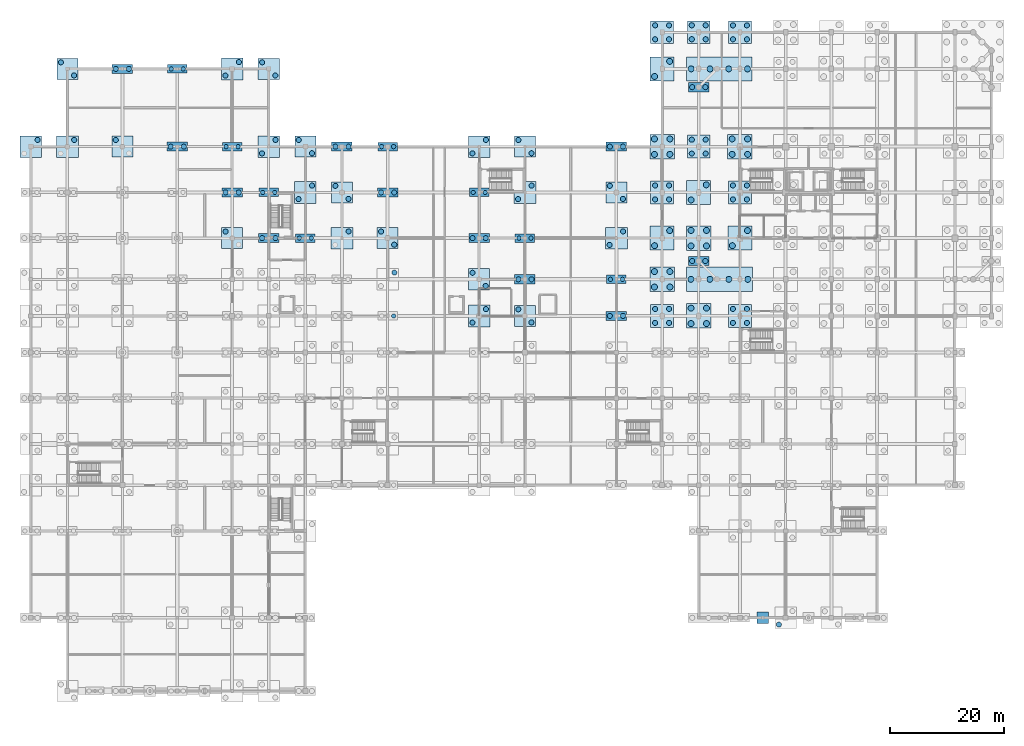
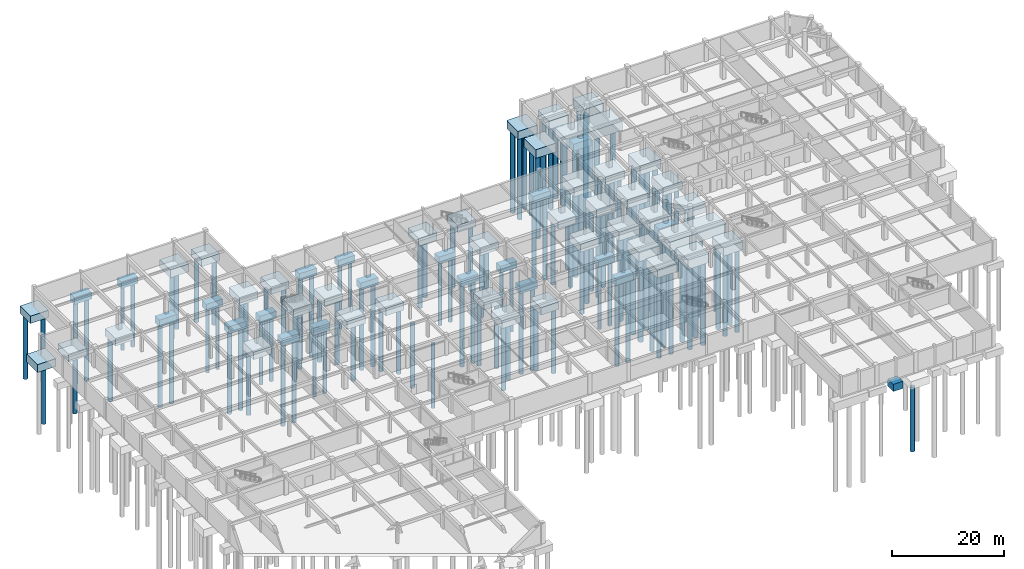
# One storey, part 3 of 28: 148 piles, 61 footings.
"""IFC4 building model written with IfcOpenShell, lengths in metres."""

import ifcopenshell
import ifcopenshell.guid

model = None  # the IFC model being written
_history = None  # IfcOwnerHistory: only IFC2X3 demands one
_inside = {}  # id of a spatial element -> (the spatial element, [elements in it])
_under = {}  # id of a project, library or spatial element -> (it, [spatial elements below it])
_declared = {}  # id of a project -> (the project, [libraries it declares])
_typed = {}  # id of a type object -> (the type object, [elements of that type])
_made_of = {}  # id of a material, layer set ... -> (it, [elements and type objects made of it])


def new_model(schema):
    """Start an empty IFC model of exactly this schema.

    Asked for "IFC4X3", IfcOpenShell would pick the latest addendum, in which some entities
    have other attributes; the version numbers below select the first issue.
    IFC2X3 requires an IfcOwnerHistory on every rooted entity: one is made here for all.
    """
    global model, _history
    if schema == "IFC4X3":
        model = ifcopenshell.file(schema_version=(4, 3, 0, 0))
    else:
        model = ifcopenshell.file(schema=schema)
    _inside.clear()
    _under.clear()
    _declared.clear()
    _typed.clear()
    _made_of.clear()
    _history = None
    if model.schema == "IFC2X3":
        org = make("IfcOrganization", Name="unknown")
        user = make(
            "IfcPersonAndOrganization",
            ThePerson=make("IfcPerson", FamilyName="unknown"),
            TheOrganization=org,
        )
        app = make(
            "IfcApplication",
            ApplicationDeveloper=org,
            Version="unknown",
            ApplicationFullName="unknown",
            ApplicationIdentifier="unknown",
        )
        _history = make(
            "IfcOwnerHistory",
            OwningUser=user,
            OwningApplication=app,
            ChangeAction="ADDED",
            CreationDate=0,
        )
    return model


def make(cls, **values):
    """One entity of the class cls with the attributes given. An attribute that is None is left unset."""
    return model.create_entity(
        cls, **{name: value for name, value in values.items() if value is not None}
    )


def rooted(cls, **values):
    """An entity with a GlobalId (a new one), such as an element, a storey or a relation."""
    return make(cls, GlobalId=ifcopenshell.guid.new(), OwnerHistory=_history, **values)


def si_unit(unit_type, name, prefix=None):
    """IfcSIUnit, for example si_unit("LENGTHUNIT", "METRE", prefix="MILLI")."""
    return make("IfcSIUnit", UnitType=unit_type, Prefix=prefix, Name=name)


def assignment(units):
    """IfcUnitAssignment: the units of a project."""
    return None if units is None else make("IfcUnitAssignment", Units=units)


def point(xyz):
    """IfcCartesianPoint."""
    return None if xyz is None else make("IfcCartesianPoint", Coordinates=xyz)


def direction(xyz):
    """IfcDirection."""
    return None if xyz is None else make("IfcDirection", DirectionRatios=xyz)


def frame(location, z_axis=None, x_axis=None):
    """IfcAxis2Placement3D, a coordinate frame: its origin and axes. An axis left out is left unset."""
    return make(
        "IfcAxis2Placement3D",
        Location=point(location),
        Axis=direction(z_axis),
        RefDirection=direction(x_axis),
    )


def frame_2d(location, x_axis=None):
    """IfcAxis2Placement2D, a coordinate frame in the plane: its origin and x axis."""
    return make(
        "IfcAxis2Placement2D", Location=point(location), RefDirection=direction(x_axis)
    )


def origin():
    """The frame at (0, 0, 0) with its axes left unset."""
    return frame((0.0, 0.0, 0.0))


def origin_2d():
    """The frame at (0, 0) in the plane with its x axis left unset."""
    return frame_2d((0.0, 0.0))


def place(relative_to, where):
    """IfcLocalPlacement: puts the frame where relative to a parent placement (None: the world)."""
    return make(
        "IfcLocalPlacement", PlacementRelTo=relative_to, RelativePlacement=where
    )


def context(
    kind, dimensions, precision=None, world=None, true_north=None, identifier=None
):
    """IfcGeometricRepresentationContext, for example the 3D "Model" context."""
    return make(
        "IfcGeometricRepresentationContext",
        ContextIdentifier=identifier,
        ContextType=kind,
        CoordinateSpaceDimension=dimensions,
        Precision=precision,
        WorldCoordinateSystem=world,
        TrueNorth=true_north,
    )


def subcontext(parent, identifier, kind, view, scale=None):
    """IfcGeometricRepresentationSubContext, for example "Body" below "Model"."""
    return make(
        "IfcGeometricRepresentationSubContext",
        ContextIdentifier=identifier,
        ContextType=kind,
        ParentContext=parent,
        TargetScale=scale,
        TargetView=view,
    )


def project(units=None, contexts=None):
    """IfcProject with its units and contexts."""
    return rooted(
        "IfcProject",
        Name="project",
        RepresentationContexts=contexts,
        UnitsInContext=assignment(units),
    )


def spatial(cls, under=None, at=None, **own):
    """A site, building, storey or space (cls), placed at a placement, below another one or the project."""
    s = rooted(cls, ObjectPlacement=at, **own)
    if under is not None:
        _under.setdefault(under.id(), (under, []))[1].append(s)
    return s


def profile(cls, at=None, kind="AREA", **sizes):
    """A parametric profile (cls). Its sizes go by their IFC names, for example OverallWidth=200.0."""
    return make(cls, ProfileType=kind, Position=at, **sizes)


def rectangle(**sizes):
    """IfcRectangleProfileDef."""
    return profile("IfcRectangleProfileDef", **sizes)


def circle(**sizes):
    """IfcCircleProfileDef."""
    return profile("IfcCircleProfileDef", **sizes)


def extrude(swept, where, along, depth):
    """IfcExtrudedAreaSolid: the profile swept, set in the frame where, extruded along a direction by depth."""
    return make(
        "IfcExtrudedAreaSolid",
        SweptArea=swept,
        Position=where,
        ExtrudedDirection=direction(along),
        Depth=depth,
    )


def shape(context_of_items, identifier, shape_type, items):
    """IfcShapeRepresentation: the items that make up one representation, for example the "Body"."""
    return make(
        "IfcShapeRepresentation",
        ContextOfItems=context_of_items,
        RepresentationIdentifier=identifier,
        RepresentationType=shape_type,
        Items=items,
    )


def material(Name=None, Category=None):
    """IfcMaterial."""
    return make("IfcMaterial", Name=Name, Category=Category)


def material_profile(
    of_material, cross_section, Name=None, Category=None, Priority=None
):
    """IfcMaterialProfile: a cross section and its material."""
    return make(
        "IfcMaterialProfile",
        Name=Name,
        Material=of_material,
        Profile=cross_section,
        Priority=Priority,
        Category=Category,
    )


def profile_set(profiles, Name=None, composite=None):
    """IfcMaterialProfileSet."""
    return make(
        "IfcMaterialProfileSet",
        Name=Name,
        MaterialProfiles=profiles,
        CompositeProfile=composite,
    )


def made_of(thing, what):
    """Note that an element or type object is made of a material, layer set ...; save() writes the relation."""
    if what is not None:
        _made_of.setdefault(what.id(), (what, []))[1].append(thing)
    return thing


def type_object(cls, material=None, **own):
    """A type object (cls), such as IfcWallType, which elements share."""
    return made_of(rooted(cls, **own), material)


def element(
    cls,
    number,
    at=None,
    inside=None,
    cuts=None,
    type_object=None,
    material=None,
    context=None,
    identifier="Body",
    shape_type=None,
    held_by="IfcProductDefinitionShape",
    body=None,
    shapes=None,
    **own,
):
    """One element of the class cls, such as IfcWall. Its Tag is "e" and its number.

    at: its placement. inside: the storey or other place that contains it. cuts: it is an
    opening in that element (IfcRelVoidsElement). A single representation is given by context,
    identifier, shape_type and body (its items); several are given by shapes. held_by: the class
    of the entity that holds the representations. save() writes the other relations.
    """
    e = rooted(cls, Tag="e%d" % number, ObjectPlacement=at, **own)
    if body is not None:
        shapes = [shape(context, identifier, shape_type, body)]
    if shapes is not None:
        e.Representation = make(held_by, Representations=shapes)
    if inside is not None:
        _inside.setdefault(inside.id(), (inside, []))[1].append(e)
    if cuts is not None:
        rooted(
            "IfcRelVoidsElement", RelatingBuildingElement=cuts, RelatedOpeningElement=e
        )
    if type_object is not None:
        _typed.setdefault(type_object.id(), (type_object, []))[1].append(e)
    return made_of(e, material)


def aggregate(whole, parts):
    """IfcRelAggregates: a whole, such as a stair, and the parts it consists of."""
    return rooted("IfcRelAggregates", RelatingObject=whole, RelatedObjects=parts)


def save(model, path):
    """Write the relations noted so far, then the file.

    IfcRelAggregates (storeys below a building ...), IfcRelContainedInSpatialStructure (elements
    in a storey), IfcRelDefinesByType, IfcRelAssociatesMaterial and IfcRelDeclares: one each for
    every whole, place, type object, material and project.
    """
    for whole, parts in _under.values():
        aggregate(whole, parts)
    for where, things in _inside.values():
        rooted(
            "IfcRelContainedInSpatialStructure",
            RelatedElements=things,
            RelatingStructure=where,
        )
    for kind, things in _typed.values():
        rooted("IfcRelDefinesByType", RelatedObjects=things, RelatingType=kind)
    for what, things in _made_of.values():
        rooted("IfcRelAssociatesMaterial", RelatedObjects=things, RelatingMaterial=what)
    for by, libraries in _declared.values():
        rooted("IfcRelDeclares", RelatingContext=by, RelatedDefinitions=libraries)
    model.write(path)


model = new_model("IFC4")

# Units and contexts
model_context = context("Model", 3, precision=1e-05, world=origin(), true_north=direction((0.0, 1.0)))
body_context = subcontext(model_context, "Body", "Model", "MODEL_VIEW")
ifc_project = project(units=[si_unit("LENGTHUNIT", "METRE"), si_unit("AREAUNIT", "SQUARE_METRE"), si_unit("VOLUMEUNIT", "CUBIC_METRE"), si_unit("PLANEANGLEUNIT", "RADIAN"), si_unit("MASSUNIT", "GRAM", prefix="KILO")], contexts=[model_context])

# Site, building, storey
site_placement = place(None, origin())
site = spatial("IfcSite", under=ifc_project, at=site_placement, CompositionType="ELEMENT")
building_placement = place(site_placement, origin())
building = spatial("IfcBuilding", under=site, at=building_placement, Name="Vellmiral Cinema and Media Centre", CompositionType="ELEMENT")
storey_placement = place(building_placement, frame((0.0, 0.0, -4.5)))
storey = spatial("IfcBuildingStorey", under=building, at=storey_placement, Name="B1", CompositionType="ELEMENT", Elevation=-4.5)

# Footings
ifc_material_1 = material(Name="Concrete C30/37", Category="concrete")
footing_type_1 = type_object("IfcFootingType", Name="FTG-PC-200x200x155", PredefinedType="PILE_CAP", material=ifc_material_1)
footing_1_placement = place(storey_placement, frame((128.0, 12.800048828125, -2.01025390625), z_axis=(0.0, 0.0, 1.0), x_axis=(1.0, 0.0, 0.0)))
element("IfcFooting", 1, at=footing_1_placement, inside=storey, type_object=footing_type_1, Name="Pile Cap 174", PredefinedType="PILE_CAP", context=body_context, shape_type="SweptSolid", body=[
    extrude(rectangle(XDim=2.0, YDim=2.0, at=origin_2d()), origin(), (0.0, 0.0, 1.0), 1.550048828125),
])
ifc_material_2 = material(Name="Concrete C30/37", Category="concrete")
footing_type_2 = type_object("IfcFootingType", Name="FTG-PC-340x150x145", PredefinedType="PILE_CAP", material=ifc_material_2)
for number, where, z_axis, x_axis, name in (
    (2, (25.60009765625, 108.800048828125, -1.91015625), (0.0, 0.0, 1.0), (1.0, 0.0, 0.0), "Pile Cap 047"),
    (3, (35.199951171875, 95.199951171875, -1.91015625), (0.0, 0.0, 1.0), (1.0, 0.0, 0.0), "Pile Cap 066"),
    (4, (41.60009765625, 87.199951171875, -1.91015625), (0.0, 0.0, 1.0), (1.0, 0.0, 0.0), "Pile Cap 079"),
    (5, (48.0, 79.199951171875, -1.91015625), (0.0, 0.0, 1.0), (1.0, 0.0, 0.0), "Pile Cap 091"),
    (6, (62.39990234375, 95.199951171875, -1.91015625), (0.0, 0.0, 1.0), (1.0, 0.0, 0.0), "Pile Cap 109"),
    (7, (78.39990234375, 87.199951171875, -1.91015625), (0.0, 0.0, 1.0), (1.0, 0.0, 0.0), "Pile Cap 118"),
    (8, (86.39990234375, 79.199951171875, -1.91015625), (0.0, 0.0, 1.0), (1.0, 0.0, 0.0), "Pile Cap 127"),
    (9, (102.39990234375, 72.0, -1.91015625), (0.0, 0.0, 1.0), (1.0, 0.0, 0.0), "Pile Cap 136"),
):
    element("IfcFooting", number, at=place(storey_placement, frame(where, z_axis=z_axis, x_axis=x_axis)), inside=storey, type_object=footing_type_2, Name=name, PredefinedType="PILE_CAP", context=body_context, shape_type="SweptSolid", body=[
        extrude(rectangle(XDim=3.39990234375, YDim=1.5, at=origin_2d()), origin(), (0.0, 0.0, 1.0), 1.449951171875),
    ])
ifc_material_3 = material(Name="Concrete C30/37", Category="concrete")
footing_type_3 = type_object("IfcFootingType", Name="FTG-PC-360x160x150", PredefinedType="PILE_CAP", material=ifc_material_3)
for number, where, z_axis, x_axis, name in (
    (10, (16.0, 108.800048828125, -1.9599609375), (0.0, 0.0, 1.0), (1.0, 0.0, 0.0), "Pile Cap 032"),
    (11, (25.60009765625, 95.199951171875, -1.9599609375), (0.0, 0.0, 1.0), (1.0, 0.0, 0.0), "Pile Cap 043"),
    (12, (35.199951171875, 87.199951171875, -1.9599609375), (0.0, 0.0, 1.0), (1.0, 0.0, 0.0), "Pile Cap 063"),
    (13, (41.60009765625, 79.199951171875, -1.9599609375), (0.0, 0.0, 1.0), (1.0, 0.0, 0.0), "Pile Cap 076"),
    (14, (54.39990234375, 95.199951171875, -1.9599609375), (0.0, 0.0, 1.0), (1.0, 0.0, 0.0), "Pile Cap 098"),
    (15, (62.39990234375, 87.199951171875, -1.9599609375), (0.0, 0.0, 1.0), (1.0, 0.0, 0.0), "Pile Cap 106"),
    (16, (78.39990234375, 79.199951171875, -1.9599609375), (0.0, 0.0, 1.0), (1.0, 0.0, 0.0), "Pile Cap 116"),
    (17, (86.39990234375, 72.0, -1.9599609375), (0.0, 0.0, 1.0), (1.0, 0.0, 0.0), "Pile Cap 125"),
    (18, (102.39990234375, 65.60009765625, -1.9599609375), (0.0, 0.0, 1.0), (1.0, 0.0, 0.0), "Pile Cap 133"),
    (19, (102.39990234375, 95.199951171875, -1.9599609375), (0.0, 0.0, 1.0), (1.0, 0.0, 0.0), "Pile Cap 134"),
    (20, (116.800048828125, 75.199951171875, -1.9599609375), (0.0, 0.0, 1.0), (1.0, 0.0, 0.0), "Pile Cap 159"),
    (21, (116.800048828125, 105.60009765625, -1.9599609375), (0.0, 0.0, 1.0), (1.0, 0.0, 0.0), "Pile Cap 160"),
):
    element("IfcFooting", number, at=place(storey_placement, frame(where, z_axis=z_axis, x_axis=x_axis)), inside=storey, type_object=footing_type_3, Name=name, PredefinedType="PILE_CAP", context=body_context, shape_type="SweptSolid", body=[
        extrude(rectangle(XDim=3.60009765625, YDim=1.60009765625, at=origin_2d()), origin(), (0.0, 0.0, 1.0), 1.5),
    ])
ifc_material_4 = material(Name="Concrete C30/37", Category="concrete")
footing_type_4 = type_object("IfcFootingType", Name="FTG-PC-370x370x160", PredefinedType="PILE_CAP", material=ifc_material_4)
for number, where, z_axis, x_axis, name in (
    (22, (6.39990234375, 108.800048828125, -2.06005859375), (0.0, 0.0, 1.0), (1.0, 0.0, 0.0), "Pile Cap 018"),
    (23, (16.0, 95.199951171875, -2.06005859375), (0.0, 0.0, 1.0), (1.0, 0.0, 0.0), "Pile Cap 028"),
    (24, (35.199951171875, 79.199951171875, -2.06005859375), (0.0, 0.0, 1.0), (1.0, 0.0, 0.0), "Pile Cap 060"),
    (25, (41.60009765625, 108.800048828125, -2.06005859375), (0.0, 0.0, 1.0), (1.0, 0.0, 0.0), "Pile Cap 073"),
    (26, (48.0, 95.199951171875, -2.06005859375), (0.0, 0.0, 1.0), (1.0, 0.0, 0.0), "Pile Cap 085"),
    (27, (54.39990234375, 87.199951171875, -2.06005859375), (0.0, 0.0, 1.0), (1.0, 0.0, 0.0), "Pile Cap 095"),
    (28, (62.39990234375, 79.199951171875, -2.06005859375), (0.0, 0.0, 1.0), (1.0, 0.0, 0.0), "Pile Cap 104"),
    (29, (78.39990234375, 72.0, -2.06005859375), (0.0, 0.0, 1.0), (1.0, 0.0, 0.0), "Pile Cap 114"),
    (30, (86.39990234375, 65.60009765625, -2.06005859375), (0.0, 0.0, 1.0), (1.0, 0.0, 0.0), "Pile Cap 122"),
    (31, (86.39990234375, 95.199951171875, -2.06005859375), (0.0, 0.0, 1.0), (1.0, 0.0, 0.0), "Pile Cap 123"),
    (32, (102.39990234375, 87.199951171875, -2.06005859375), (0.0, 0.0, 1.0), (1.0, 0.0, 0.0), "Pile Cap 131"),
):
    element("IfcFooting", number, at=place(storey_placement, frame(where, z_axis=z_axis, x_axis=x_axis)), inside=storey, type_object=footing_type_4, Name=name, PredefinedType="PILE_CAP", context=body_context, shape_type="SweptSolid", body=[
        extrude(rectangle(XDim=3.699951171875, YDim=3.699951171875, at=origin_2d()), origin(), (0.0, 0.0, 1.0), 1.60009765625),
    ])
ifc_material_5 = material(Name="Concrete C30/37", Category="concrete")
footing_type_5 = type_object("IfcFootingType", Name="FTG-PC-380x380x170", PredefinedType="PILE_CAP", material=ifc_material_5)
for number, where, z_axis, x_axis, name in (
    (33, (0.0, 95.199951171875, -2.16015625), (0.0, 0.0, 1.0), (1.0, 0.0, 0.0), "Pile Cap 003"),
    (34, (6.39990234375, 95.199951171875, -2.16015625), (0.0, 0.0, 1.0), (1.0, 0.0, 0.0), "Pile Cap 014"),
    (35, (35.199951171875, 108.800048828125, -2.16015625), (0.0, 0.0, 1.0), (1.0, 0.0, 0.0), "Pile Cap 057"),
    (36, (41.60009765625, 95.199951171875, -2.16015625), (0.0, 0.0, 1.0), (1.0, 0.0, 0.0), "Pile Cap 069"),
    (37, (48.0, 87.199951171875, -2.16015625), (0.0, 0.0, 1.0), (1.0, 0.0, 0.0), "Pile Cap 082"),
    (38, (54.39990234375, 79.199951171875, -2.16015625), (0.0, 0.0, 1.0), (1.0, 0.0, 0.0), "Pile Cap 093"),
    (39, (78.39990234375, 65.60009765625, -2.16015625), (0.0, 0.0, 1.0), (1.0, 0.0, 0.0), "Pile Cap 111"),
    (40, (78.39990234375, 95.199951171875, -2.16015625), (0.0, 0.0, 1.0), (1.0, 0.0, 0.0), "Pile Cap 112"),
    (41, (86.39990234375, 87.199951171875, -2.16015625), (0.0, 0.0, 1.0), (1.0, 0.0, 0.0), "Pile Cap 120"),
    (42, (102.39990234375, 79.199951171875, -2.16015625), (0.0, 0.0, 1.0), (1.0, 0.0, 0.0), "Pile Cap 129"),
):
    element("IfcFooting", number, at=place(storey_placement, frame(where, z_axis=z_axis, x_axis=x_axis)), inside=storey, type_object=footing_type_5, Name=name, PredefinedType="PILE_CAP", context=body_context, shape_type="SweptSolid", body=[
        extrude(rectangle(XDim=3.800048828125, YDim=3.800048828125, at=origin_2d()), origin(), (0.0, 0.0, 1.0), 1.699951171875),
    ])
ifc_material_6 = material(Name="Concrete C30/37", Category="concrete")
footing_type_6 = type_object("IfcFootingType", Name="FTG-PC-400x400x180", PredefinedType="PILE_CAP", material=ifc_material_6)
for number, where, z_axis, x_axis, name in (
    (43, (110.39990234375, 65.60009765625, -2.26025390625), (0.0, 0.0, 1.0), (1.0, 0.0, 0.0), "Pile Cap 141"),
    (44, (110.39990234375, 87.199951171875, -2.26025390625), (0.0, 0.0, 1.0), (1.0, 0.0, 0.0), "Pile Cap 142"),
    (45, (110.39990234375, 115.199951171875, -2.26025390625), (0.0, 0.0, 1.0), (1.0, 0.0, 0.0), "Pile Cap 143"),
    (46, (116.800048828125, 95.199951171875, -2.26025390625), (0.0, 0.0, 1.0), (1.0, 0.0, 0.0), "Pile Cap 153"),
    (47, (116.800048828125, 115.199951171875, -2.26025390625), (0.0, 0.0, 1.0), (1.0, 0.0, 0.0), "Pile Cap 154"),
    (48, (124.0, 65.60009765625, -2.26025390625), (0.0, 0.0, 1.0), (1.0, 0.0, 0.0), "Pile Cap 165"),
    (49, (124.0, 87.199951171875, -2.26025390625), (0.0, 0.0, 1.0), (1.0, 0.0, 0.0), "Pile Cap 166"),
    (50, (124.0, 115.199951171875, -2.26025390625), (0.0, 0.0, 1.0), (1.0, 0.0, 0.0), "Pile Cap 167"),
):
    element("IfcFooting", number, at=place(storey_placement, frame(where, z_axis=z_axis, x_axis=x_axis)), inside=storey, type_object=footing_type_6, Name=name, PredefinedType="PILE_CAP", context=body_context, shape_type="SweptSolid", body=[
        extrude(rectangle(XDim=4.0, YDim=4.0, at=origin_2d()), origin(), (0.0, 0.0, 1.0), 1.800048828125),
    ])
ifc_material_7 = material(Name="Concrete C30/37", Category="concrete")
footing_type_7 = type_object("IfcFootingType", Name="FTG-PC-420x420x190", PredefinedType="PILE_CAP", material=ifc_material_7)
for number, where, z_axis, x_axis, name in (
    (51, (110.39990234375, 79.199951171875, -2.35986328125), (0.0, 0.0, 1.0), (1.0, 0.0, 0.0), "Pile Cap 139"),
    (52, (110.39990234375, 108.800048828125, -2.35986328125), (0.0, 0.0, 1.0), (1.0, 0.0, 0.0), "Pile Cap 140"),
    (53, (116.800048828125, 87.199951171875, -2.35986328125), (0.0, 0.0, 1.0), (1.0, 0.0, 0.0), "Pile Cap 151"),
    (54, (124.0, 79.199951171875, -2.35986328125), (0.0, 0.0, 1.0), (1.0, 0.0, 0.0), "Pile Cap 164"),
):
    element("IfcFooting", number, at=place(storey_placement, frame(where, z_axis=z_axis, x_axis=x_axis)), inside=storey, type_object=footing_type_7, Name=name, PredefinedType="PILE_CAP", context=body_context, shape_type="SweptSolid", body=[
        extrude(rectangle(XDim=4.199951171875, YDim=4.199951171875, at=origin_2d()), origin(), (0.0, 0.0, 1.0), 1.89990234375),
    ])
ifc_material_8 = material(Name="Concrete C30/37", Category="concrete")
footing_type_8 = type_object("IfcFootingType", Name="FTG-PC-430x430x200", PredefinedType="PILE_CAP", material=ifc_material_8)
for number, where, z_axis, x_axis, name in (
    (55, (110.39990234375, 72.0, -2.4599609375), (0.0, 0.0, 1.0), (1.0, 0.0, 0.0), "Pile Cap 137"),
    (56, (110.39990234375, 95.199951171875, -2.4599609375), (0.0, 0.0, 1.0), (1.0, 0.0, 0.0), "Pile Cap 138"),
    (57, (116.800048828125, 65.60009765625, -2.4599609375), (0.0, 0.0, 1.0), (1.0, 0.0, 0.0), "Pile Cap 148"),
    (58, (116.800048828125, 79.199951171875, -2.4599609375), (0.0, 0.0, 1.0), (1.0, 0.0, 0.0), "Pile Cap 149"),
    (59, (124.0, 95.199951171875, -2.4599609375), (0.0, 0.0, 1.0), (1.0, 0.0, 0.0), "Pile Cap 163"),
):
    element("IfcFooting", number, at=place(storey_placement, frame(where, z_axis=z_axis, x_axis=x_axis)), inside=storey, type_object=footing_type_8, Name=name, PredefinedType="PILE_CAP", context=body_context, shape_type="SweptSolid", body=[
        extrude(rectangle(XDim=4.300048828125, YDim=4.300048828125, at=origin_2d()), origin(), (0.0, 0.0, 1.0), 2.0),
    ])
ifc_material_9 = material(Name="Concrete C30/37", Category="concrete")
footing_type_9 = type_object("IfcFootingType", Name="FTG-PCC-1140x420x200", PredefinedType="PILE_CAP", material=ifc_material_9)
footing_2_placement = place(storey_placement, frame((120.39990234375, 108.800048828125, -2.4599609375), z_axis=(0.0, 0.0, 1.0), x_axis=(1.0, 0.0, 0.0)))
element("IfcFooting", 60, at=footing_2_placement, inside=storey, type_object=footing_type_9, Name="Pile Cap 152", PredefinedType="PILE_CAP", context=body_context, shape_type="SweptSolid", body=[
    extrude(rectangle(XDim=11.39990234375, YDim=4.199951171875, at=origin_2d()), origin(), (0.0, 0.0, 1.0), 2.0),
])
ifc_material_10 = material(Name="Concrete C30/37", Category="concrete")
footing_type_10 = type_object("IfcFootingType", Name="FTG-PCC-1150x430x200", PredefinedType="PILE_CAP", material=ifc_material_10)
footing_3_placement = place(storey_placement, frame((120.41259765625, 72.0, -2.4599609375), z_axis=(0.0, 0.0, 1.0), x_axis=(1.0, 0.0, 0.0)))
element("IfcFooting", 61, at=footing_3_placement, inside=storey, type_object=footing_type_10, Name="Pile Cap 150", PredefinedType="PILE_CAP", context=body_context, shape_type="SweptSolid", body=[
    extrude(rectangle(XDim=11.5, YDim=4.300048828125, at=origin_2d()), origin(), (0.0, 0.0, 1.0), 2.0),
])

# Piles
ifc_material_11 = material(Name="Concrete C30/37", Category="concrete")
ifc_material_profile_1 = material_profile(ifc_material_11, circle(Radius=0.52490234375, at=origin_2d()), Name="PILE D1050")
ifc_profile_set_1 = profile_set([ifc_material_profile_1], Name="Concrete C30/37")
pile_type_1 = type_object("IfcPileType", Name="PIL-BORED-D1050-L18", PredefinedType="BORED", material=ifc_profile_set_1)
for number, where, z_axis, x_axis, name in (
    (62, (111.75, 73.35009765625, -2.360107421875), (0.0, 0.0, -1.0), (1.0, 0.0, 0.0), "Bored Pile 137-1"),
    (63, (109.050048828125, 73.35009765625, -2.360107421875), (0.0, 0.0, -1.0), (1.0, 0.0, 0.0), "Bored Pile 137-2"),
    (64, (111.75, 70.64990234375, -2.360107421875), (0.0, 0.0, -1.0), (1.0, 0.0, 0.0), "Bored Pile 137-3"),
    (65, (109.050048828125, 70.64990234375, -2.360107421875), (0.0, 0.0, -1.0), (1.0, 0.0, 0.0), "Bored Pile 137-4"),
    (66, (111.75, 96.550048828125, -2.360107421875), (0.0, 0.0, -1.0), (1.0, 0.0, 0.0), "Bored Pile 138-1"),
    (67, (109.050048828125, 96.550048828125, -2.360107421875), (0.0, 0.0, -1.0), (1.0, 0.0, 0.0), "Bored Pile 138-2"),
    (68, (111.75, 93.85009765625, -2.360107421875), (0.0, 0.0, -1.0), (1.0, 0.0, 0.0), "Bored Pile 138-3"),
    (69, (109.050048828125, 93.85009765625, -2.360107421875), (0.0, 0.0, -1.0), (1.0, 0.0, 0.0), "Bored Pile 138-4"),
    (70, (111.719970703125, 80.52001953125, -2.260009765625), (0.0, 0.0, -1.0), (1.0, 0.0, 0.0), "Bored Pile 139-1"),
    (71, (109.080078125, 77.8798828125, -2.260009765625), (0.0, 0.0, -1.0), (1.0, 0.0, 0.0), "Bored Pile 139-2"),
    (72, (111.719970703125, 110.1201171875, -2.260009765625), (0.0, 0.0, -1.0), (1.0, 0.0, 0.0), "Bored Pile 140-1"),
    (73, (109.080078125, 107.47998046875, -2.260009765625), (0.0, 0.0, -1.0), (1.0, 0.0, 0.0), "Bored Pile 140-2"),
    (74, (118.14990234375, 66.949951171875, -2.360107421875), (0.0, 0.0, -1.0), (1.0, 0.0, 0.0), "Bored Pile 148-1"),
    (75, (115.449951171875, 66.949951171875, -2.360107421875), (0.0, 0.0, -1.0), (1.0, 0.0, 0.0), "Bored Pile 148-2"),
    (76, (118.14990234375, 64.25, -2.360107421875), (0.0, 0.0, -1.0), (1.0, 0.0, 0.0), "Bored Pile 148-3"),
    (77, (115.449951171875, 64.25, -2.360107421875), (0.0, 0.0, -1.0), (1.0, 0.0, 0.0), "Bored Pile 148-4"),
    (78, (118.14990234375, 80.550048828125, -2.360107421875), (0.0, 0.0, -1.0), (1.0, 0.0, 0.0), "Bored Pile 149-1"),
    (79, (115.449951171875, 80.550048828125, -2.360107421875), (0.0, 0.0, -1.0), (1.0, 0.0, 0.0), "Bored Pile 149-2"),
    (80, (118.14990234375, 77.85009765625, -2.360107421875), (0.0, 0.0, -1.0), (1.0, 0.0, 0.0), "Bored Pile 149-3"),
    (81, (115.449951171875, 77.85009765625, -2.360107421875), (0.0, 0.0, -1.0), (1.0, 0.0, 0.0), "Bored Pile 149-4"),
    (82, (115.4375, 72.0, -2.360107421875), (0.0, 0.0, -1.0), (1.0, 0.0, 0.0), "Bored Pile 150-1"),
    (83, (118.754150390625, 72.0, -2.360107421875), (0.0, 0.0, -1.0), (1.0, 0.0, 0.0), "Bored Pile 150-2"),
    (84, (122.07080078125, 72.0, -2.360107421875), (0.0, 0.0, -1.0), (1.0, 0.0, 0.0), "Bored Pile 150-3"),
    (85, (125.387451171875, 72.0, -2.360107421875), (0.0, 0.0, -1.0), (1.0, 0.0, 0.0), "Bored Pile 150-4"),
    (86, (118.1201171875, 88.52001953125, -2.260009765625), (0.0, 0.0, -1.0), (1.0, 0.0, 0.0), "Bored Pile 151-1"),
    (87, (115.47998046875, 85.8798828125, -2.260009765625), (0.0, 0.0, -1.0), (1.0, 0.0, 0.0), "Bored Pile 151-2"),
    (88, (115.47509765625, 108.800048828125, -2.360107421875), (0.0, 0.0, -1.0), (1.0, 0.0, 0.0), "Bored Pile 152-1"),
    (89, (118.75830078125, 108.800048828125, -2.360107421875), (0.0, 0.0, -1.0), (1.0, 0.0, 0.0), "Bored Pile 152-2"),
    (90, (122.041748046875, 108.800048828125, -2.360107421875), (0.0, 0.0, -1.0), (1.0, 0.0, 0.0), "Bored Pile 152-3"),
    (91, (125.324951171875, 108.800048828125, -2.360107421875), (0.0, 0.0, -1.0), (1.0, 0.0, 0.0), "Bored Pile 152-4"),
    (92, (125.35009765625, 96.550048828125, -2.360107421875), (0.0, 0.0, -1.0), (1.0, 0.0, 0.0), "Bored Pile 163-1"),
    (93, (122.64990234375, 96.550048828125, -2.360107421875), (0.0, 0.0, -1.0), (1.0, 0.0, 0.0), "Bored Pile 163-2"),
    (94, (125.35009765625, 93.85009765625, -2.360107421875), (0.0, 0.0, -1.0), (1.0, 0.0, 0.0), "Bored Pile 163-3"),
    (95, (122.64990234375, 93.85009765625, -2.360107421875), (0.0, 0.0, -1.0), (1.0, 0.0, 0.0), "Bored Pile 163-4"),
    (96, (125.320068359375, 80.52001953125, -2.260009765625), (0.0, 0.0, -1.0), (1.0, 0.0, 0.0), "Bored Pile 164-1"),
    (97, (122.679931640625, 77.8798828125, -2.260009765625), (0.0, 0.0, -1.0), (1.0, 0.0, 0.0), "Bored Pile 164-2"),
):
    element("IfcPile", number, at=place(storey_placement, frame(where, z_axis=z_axis, x_axis=x_axis)), inside=storey, type_object=pile_type_1, Name=name, PredefinedType="BORED", context=body_context, shape_type="SweptSolid", body=[
        extrude(circle(Radius=0.52490234375, at=origin_2d()), origin(), (0.0, 0.0, 1.0), 18.0),
    ])
ifc_material_12 = material(Name="Concrete C30/37", Category="concrete")
ifc_material_profile_2 = material_profile(ifc_material_12, circle(Radius=0.375, at=origin_2d()), Name="PILE D750")
ifc_profile_set_2 = profile_set([ifc_material_profile_2], Name="Concrete C30/37")
pile_type_2 = type_object("IfcPileType", Name="PIL-BORED-D750-L14", PredefinedType="BORED", material=ifc_profile_set_2)
for number, where, z_axis, x_axis, name in (
    (98, (24.550048828125, 108.800048828125, -1.81005859375), (0.0, 0.0, -1.0), (1.0, 0.0, 0.0), "Bored Pile 047-1"),
    (99, (26.64990234375, 108.800048828125, -1.81005859375), (0.0, 0.0, -1.0), (1.0, 0.0, 0.0), "Bored Pile 047-2"),
    (100, (34.14990234375, 95.199951171875, -1.81005859375), (0.0, 0.0, -1.0), (1.0, 0.0, 0.0), "Bored Pile 066-1"),
    (101, (36.25, 95.199951171875, -1.81005859375), (0.0, 0.0, -1.0), (1.0, 0.0, 0.0), "Bored Pile 066-2"),
    (102, (40.550048828125, 87.199951171875, -1.81005859375), (0.0, 0.0, -1.0), (1.0, 0.0, 0.0), "Bored Pile 079-1"),
    (103, (42.64990234375, 87.199951171875, -1.81005859375), (0.0, 0.0, -1.0), (1.0, 0.0, 0.0), "Bored Pile 079-2"),
    (104, (46.949951171875, 79.199951171875, -1.81005859375), (0.0, 0.0, -1.0), (1.0, 0.0, 0.0), "Bored Pile 091-1"),
    (105, (49.050048828125, 79.199951171875, -1.81005859375), (0.0, 0.0, -1.0), (1.0, 0.0, 0.0), "Bored Pile 091-2"),
    (106, (63.449951171875, 65.60009765625, -1.81005859375), (0.0, 0.0, -1.0), (1.0, 0.0, 0.0), "Bored Pile 108-2"),
    (107, (61.35009765625, 95.199951171875, -1.81005859375), (0.0, 0.0, -1.0), (1.0, 0.0, 0.0), "Bored Pile 109-1"),
    (108, (63.449951171875, 95.199951171875, -1.81005859375), (0.0, 0.0, -1.0), (1.0, 0.0, 0.0), "Bored Pile 109-2"),
    (109, (77.35009765625, 87.199951171875, -1.81005859375), (0.0, 0.0, -1.0), (1.0, 0.0, 0.0), "Bored Pile 118-1"),
    (110, (79.449951171875, 87.199951171875, -1.81005859375), (0.0, 0.0, -1.0), (1.0, 0.0, 0.0), "Bored Pile 118-2"),
    (111, (85.35009765625, 79.199951171875, -1.81005859375), (0.0, 0.0, -1.0), (1.0, 0.0, 0.0), "Bored Pile 127-1"),
    (112, (87.449951171875, 79.199951171875, -1.81005859375), (0.0, 0.0, -1.0), (1.0, 0.0, 0.0), "Bored Pile 127-2"),
    (113, (101.35009765625, 72.0, -1.81005859375), (0.0, 0.0, -1.0), (1.0, 0.0, 0.0), "Bored Pile 136-1"),
    (114, (103.449951171875, 72.0, -1.81005859375), (0.0, 0.0, -1.0), (1.0, 0.0, 0.0), "Bored Pile 136-2"),
):
    element("IfcPile", number, at=place(storey_placement, frame(where, z_axis=z_axis, x_axis=x_axis)), inside=storey, type_object=pile_type_2, Name=name, PredefinedType="BORED", context=body_context, shape_type="SweptSolid", body=[
        extrude(circle(Radius=0.375, at=origin_2d()), origin(), (0.0, 0.0, 1.0), 14.0),
    ])
ifc_material_13 = material(Name="Concrete C30/37", Category="concrete")
ifc_material_profile_3 = material_profile(ifc_material_13, circle(Radius=0.449951171875, at=origin_2d()), Name="PILE D900")
ifc_profile_set_3 = profile_set([ifc_material_profile_3], Name="Concrete C30/37")
pile_type_3 = type_object("IfcPileType", Name="PIL-BORED-D900-L14", PredefinedType="BORED", material=ifc_profile_set_3)
for number, where, z_axis, x_axis, name in (
    (115, (1.179931640625, 96.3798828125, -2.06005859375), (0.0, 0.0, -1.0), (1.0, 0.0, 0.0), "Bored Pile 003-1"),
    (116, (7.580078125, 96.3798828125, -2.06005859375), (0.0, 0.0, -1.0), (1.0, 0.0, 0.0), "Bored Pile 014-1"),
    (117, (5.25, 109.949951171875, -1.9599609375), (0.0, 0.0, -1.0), (1.0, 0.0, 0.0), "Bored Pile 018-1"),
    (118, (7.550048828125, 107.64990234375, -1.9599609375), (0.0, 0.0, -1.0), (1.0, 0.0, 0.0), "Bored Pile 018-2"),
    (119, (14.85009765625, 96.35009765625, -1.9599609375), (0.0, 0.0, -1.0), (1.0, 0.0, 0.0), "Bored Pile 028-1"),
    (120, (36.3798828125, 109.97998046875, -2.06005859375), (0.0, 0.0, -1.0), (1.0, 0.0, 0.0), "Bored Pile 057-1"),
    (121, (34.02001953125, 107.6201171875, -2.06005859375), (0.0, 0.0, -1.0), (1.0, 0.0, 0.0), "Bored Pile 057-2"),
    (122, (34.050048828125, 80.35009765625, -1.9599609375), (0.0, 0.0, -1.0), (1.0, 0.0, 0.0), "Bored Pile 060-1"),
    (123, (42.780029296875, 96.3798828125, -2.06005859375), (0.0, 0.0, -1.0), (1.0, 0.0, 0.0), "Bored Pile 069-1"),
    (124, (40.419921875, 94.02001953125, -2.06005859375), (0.0, 0.0, -1.0), (1.0, 0.0, 0.0), "Bored Pile 069-2"),
    (125, (40.449951171875, 109.949951171875, -1.9599609375), (0.0, 0.0, -1.0), (1.0, 0.0, 0.0), "Bored Pile 073-1"),
    (126, (42.75, 107.64990234375, -1.9599609375), (0.0, 0.0, -1.0), (1.0, 0.0, 0.0), "Bored Pile 073-2"),
    (127, (49.179931640625, 88.3798828125, -2.06005859375), (0.0, 0.0, -1.0), (1.0, 0.0, 0.0), "Bored Pile 082-1"),
    (128, (46.820068359375, 86.02001953125, -2.06005859375), (0.0, 0.0, -1.0), (1.0, 0.0, 0.0), "Bored Pile 082-2"),
    (129, (46.85009765625, 96.35009765625, -1.9599609375), (0.0, 0.0, -1.0), (1.0, 0.0, 0.0), "Bored Pile 085-1"),
    (130, (49.14990234375, 94.050048828125, -1.9599609375), (0.0, 0.0, -1.0), (1.0, 0.0, 0.0), "Bored Pile 085-2"),
    (131, (55.580078125, 80.3798828125, -2.06005859375), (0.0, 0.0, -1.0), (1.0, 0.0, 0.0), "Bored Pile 093-1"),
    (132, (53.25, 88.35009765625, -1.9599609375), (0.0, 0.0, -1.0), (1.0, 0.0, 0.0), "Bored Pile 095-1"),
    (133, (55.550048828125, 86.050048828125, -1.9599609375), (0.0, 0.0, -1.0), (1.0, 0.0, 0.0), "Bored Pile 095-2"),
    (134, (63.580078125, 73.179931640625, -2.06005859375), (0.0, 0.0, -1.0), (1.0, 0.0, 0.0), "Bored Pile 102-1"),
    (135, (61.25, 80.35009765625, -1.9599609375), (0.0, 0.0, -1.0), (1.0, 0.0, 0.0), "Bored Pile 104-1"),
    (136, (63.550048828125, 78.050048828125, -1.9599609375), (0.0, 0.0, -1.0), (1.0, 0.0, 0.0), "Bored Pile 104-2"),
    (137, (79.580078125, 66.780029296875, -2.06005859375), (0.0, 0.0, -1.0), (1.0, 0.0, 0.0), "Bored Pile 111-1"),
    (138, (77.219970703125, 64.419921875, -2.06005859375), (0.0, 0.0, -1.0), (1.0, 0.0, 0.0), "Bored Pile 111-2"),
    (139, (79.580078125, 96.3798828125, -2.06005859375), (0.0, 0.0, -1.0), (1.0, 0.0, 0.0), "Bored Pile 112-1"),
    (140, (77.219970703125, 94.02001953125, -2.06005859375), (0.0, 0.0, -1.0), (1.0, 0.0, 0.0), "Bored Pile 112-2"),
    (141, (77.25, 73.14990234375, -1.9599609375), (0.0, 0.0, -1.0), (1.0, 0.0, 0.0), "Bored Pile 114-1"),
    (142, (79.550048828125, 70.85009765625, -1.9599609375), (0.0, 0.0, -1.0), (1.0, 0.0, 0.0), "Bored Pile 114-2"),
    (143, (87.580078125, 88.3798828125, -2.06005859375), (0.0, 0.0, -1.0), (1.0, 0.0, 0.0), "Bored Pile 120-1"),
    (144, (85.219970703125, 86.02001953125, -2.06005859375), (0.0, 0.0, -1.0), (1.0, 0.0, 0.0), "Bored Pile 120-2"),
    (145, (85.25, 66.75, -1.9599609375), (0.0, 0.0, -1.0), (1.0, 0.0, 0.0), "Bored Pile 122-1"),
    (146, (87.550048828125, 64.449951171875, -1.9599609375), (0.0, 0.0, -1.0), (1.0, 0.0, 0.0), "Bored Pile 122-2"),
    (147, (85.25, 96.35009765625, -1.9599609375), (0.0, 0.0, -1.0), (1.0, 0.0, 0.0), "Bored Pile 123-1"),
    (148, (87.550048828125, 94.050048828125, -1.9599609375), (0.0, 0.0, -1.0), (1.0, 0.0, 0.0), "Bored Pile 123-2"),
    (149, (103.580078125, 80.3798828125, -2.06005859375), (0.0, 0.0, -1.0), (1.0, 0.0, 0.0), "Bored Pile 129-1"),
    (150, (101.219970703125, 78.02001953125, -2.06005859375), (0.0, 0.0, -1.0), (1.0, 0.0, 0.0), "Bored Pile 129-2"),
    (151, (101.25, 88.35009765625, -1.9599609375), (0.0, 0.0, -1.0), (1.0, 0.0, 0.0), "Bored Pile 131-1"),
    (152, (103.550048828125, 86.050048828125, -1.9599609375), (0.0, 0.0, -1.0), (1.0, 0.0, 0.0), "Bored Pile 131-2"),
    (153, (130.820068359375, 11.6201171875, -2.06005859375), (0.0, 0.0, -1.0), (1.0, 0.0, 0.0), "Bored Pile 182-2"),
):
    element("IfcPile", number, at=place(storey_placement, frame(where, z_axis=z_axis, x_axis=x_axis)), inside=storey, type_object=pile_type_3, Name=name, PredefinedType="BORED", context=body_context, shape_type="SweptSolid", body=[
        extrude(circle(Radius=0.449951171875, at=origin_2d()), origin(), (0.0, 0.0, 1.0), 14.0),
    ])
ifc_material_14 = material(Name="Concrete C30/37", Category="concrete")
ifc_material_profile_4 = material_profile(ifc_material_14, circle(Radius=0.449951171875, at=origin_2d()), Name="PILE D900")
ifc_profile_set_4 = profile_set([ifc_material_profile_4], Name="Concrete C30/37")
pile_type_4 = type_object("IfcPileType", Name="PIL-BORED-D900-L18", PredefinedType="BORED", material=ifc_profile_set_4)
for number, where, z_axis, x_axis, name in (
    (154, (14.85009765625, 108.800048828125, -1.860107421875), (0.0, 0.0, -1.0), (1.0, 0.0, 0.0), "Bored Pile 032-1"),
    (155, (17.14990234375, 108.800048828125, -1.860107421875), (0.0, 0.0, -1.0), (1.0, 0.0, 0.0), "Bored Pile 032-2"),
    (156, (24.449951171875, 95.199951171875, -1.860107421875), (0.0, 0.0, -1.0), (1.0, 0.0, 0.0), "Bored Pile 043-1"),
    (157, (26.75, 95.199951171875, -1.860107421875), (0.0, 0.0, -1.0), (1.0, 0.0, 0.0), "Bored Pile 043-2"),
    (158, (34.050048828125, 87.199951171875, -1.860107421875), (0.0, 0.0, -1.0), (1.0, 0.0, 0.0), "Bored Pile 063-1"),
    (159, (36.35009765625, 87.199951171875, -1.860107421875), (0.0, 0.0, -1.0), (1.0, 0.0, 0.0), "Bored Pile 063-2"),
    (160, (40.449951171875, 79.199951171875, -1.860107421875), (0.0, 0.0, -1.0), (1.0, 0.0, 0.0), "Bored Pile 076-1"),
    (161, (42.75, 79.199951171875, -1.860107421875), (0.0, 0.0, -1.0), (1.0, 0.0, 0.0), "Bored Pile 076-2"),
    (162, (53.25, 95.199951171875, -1.860107421875), (0.0, 0.0, -1.0), (1.0, 0.0, 0.0), "Bored Pile 098-1"),
    (163, (55.550048828125, 95.199951171875, -1.860107421875), (0.0, 0.0, -1.0), (1.0, 0.0, 0.0), "Bored Pile 098-2"),
    (164, (61.25, 87.199951171875, -1.860107421875), (0.0, 0.0, -1.0), (1.0, 0.0, 0.0), "Bored Pile 106-1"),
    (165, (63.550048828125, 87.199951171875, -1.860107421875), (0.0, 0.0, -1.0), (1.0, 0.0, 0.0), "Bored Pile 106-2"),
    (166, (77.25, 79.199951171875, -1.860107421875), (0.0, 0.0, -1.0), (1.0, 0.0, 0.0), "Bored Pile 116-1"),
    (167, (79.550048828125, 79.199951171875, -1.860107421875), (0.0, 0.0, -1.0), (1.0, 0.0, 0.0), "Bored Pile 116-2"),
    (168, (85.25, 72.0, -1.860107421875), (0.0, 0.0, -1.0), (1.0, 0.0, 0.0), "Bored Pile 125-1"),
    (169, (87.550048828125, 72.0, -1.860107421875), (0.0, 0.0, -1.0), (1.0, 0.0, 0.0), "Bored Pile 125-2"),
    (170, (101.25, 65.60009765625, -1.860107421875), (0.0, 0.0, -1.0), (1.0, 0.0, 0.0), "Bored Pile 133-1"),
    (171, (103.550048828125, 65.60009765625, -1.860107421875), (0.0, 0.0, -1.0), (1.0, 0.0, 0.0), "Bored Pile 133-2"),
    (172, (101.25, 95.199951171875, -1.860107421875), (0.0, 0.0, -1.0), (1.0, 0.0, 0.0), "Bored Pile 134-1"),
    (173, (103.550048828125, 95.199951171875, -1.860107421875), (0.0, 0.0, -1.0), (1.0, 0.0, 0.0), "Bored Pile 134-2"),
    (174, (111.6201171875, 66.820068359375, -2.159912109375), (0.0, 0.0, -1.0), (1.0, 0.0, 0.0), "Bored Pile 141-1"),
    (175, (109.179931640625, 66.820068359375, -2.159912109375), (0.0, 0.0, -1.0), (1.0, 0.0, 0.0), "Bored Pile 141-2"),
    (176, (111.6201171875, 64.3798828125, -2.159912109375), (0.0, 0.0, -1.0), (1.0, 0.0, 0.0), "Bored Pile 141-3"),
    (177, (109.179931640625, 64.3798828125, -2.159912109375), (0.0, 0.0, -1.0), (1.0, 0.0, 0.0), "Bored Pile 141-4"),
    (178, (111.6201171875, 88.419921875, -2.159912109375), (0.0, 0.0, -1.0), (1.0, 0.0, 0.0), "Bored Pile 142-1"),
    (179, (109.179931640625, 88.419921875, -2.159912109375), (0.0, 0.0, -1.0), (1.0, 0.0, 0.0), "Bored Pile 142-2"),
    (180, (111.6201171875, 85.97998046875, -2.159912109375), (0.0, 0.0, -1.0), (1.0, 0.0, 0.0), "Bored Pile 142-3"),
    (181, (109.179931640625, 85.97998046875, -2.159912109375), (0.0, 0.0, -1.0), (1.0, 0.0, 0.0), "Bored Pile 142-4"),
    (182, (111.6201171875, 116.419921875, -2.159912109375), (0.0, 0.0, -1.0), (1.0, 0.0, 0.0), "Bored Pile 143-1"),
    (183, (109.179931640625, 116.419921875, -2.159912109375), (0.0, 0.0, -1.0), (1.0, 0.0, 0.0), "Bored Pile 143-2"),
    (184, (111.6201171875, 113.97998046875, -2.159912109375), (0.0, 0.0, -1.0), (1.0, 0.0, 0.0), "Bored Pile 143-3"),
    (185, (109.179931640625, 113.97998046875, -2.159912109375), (0.0, 0.0, -1.0), (1.0, 0.0, 0.0), "Bored Pile 143-4"),
    (186, (118.02001953125, 96.419921875, -2.159912109375), (0.0, 0.0, -1.0), (1.0, 0.0, 0.0), "Bored Pile 153-1"),
    (187, (115.580078125, 96.419921875, -2.159912109375), (0.0, 0.0, -1.0), (1.0, 0.0, 0.0), "Bored Pile 153-2"),
    (188, (118.02001953125, 93.97998046875, -2.159912109375), (0.0, 0.0, -1.0), (1.0, 0.0, 0.0), "Bored Pile 153-3"),
    (189, (115.580078125, 93.97998046875, -2.159912109375), (0.0, 0.0, -1.0), (1.0, 0.0, 0.0), "Bored Pile 153-4"),
    (190, (118.02001953125, 116.419921875, -2.159912109375), (0.0, 0.0, -1.0), (1.0, 0.0, 0.0), "Bored Pile 154-1"),
    (191, (115.580078125, 116.419921875, -2.159912109375), (0.0, 0.0, -1.0), (1.0, 0.0, 0.0), "Bored Pile 154-2"),
    (192, (118.02001953125, 113.97998046875, -2.159912109375), (0.0, 0.0, -1.0), (1.0, 0.0, 0.0), "Bored Pile 154-3"),
    (193, (115.580078125, 113.97998046875, -2.159912109375), (0.0, 0.0, -1.0), (1.0, 0.0, 0.0), "Bored Pile 154-4"),
    (194, (115.64990234375, 75.199951171875, -1.860107421875), (0.0, 0.0, -1.0), (1.0, 0.0, 0.0), "Bored Pile 159-1"),
    (195, (117.949951171875, 75.199951171875, -1.860107421875), (0.0, 0.0, -1.0), (1.0, 0.0, 0.0), "Bored Pile 159-2"),
    (196, (115.64990234375, 105.60009765625, -1.860107421875), (0.0, 0.0, -1.0), (1.0, 0.0, 0.0), "Bored Pile 160-1"),
    (197, (117.949951171875, 105.60009765625, -1.860107421875), (0.0, 0.0, -1.0), (1.0, 0.0, 0.0), "Bored Pile 160-2"),
    (198, (125.219970703125, 66.820068359375, -2.159912109375), (0.0, 0.0, -1.0), (1.0, 0.0, 0.0), "Bored Pile 165-1"),
    (199, (122.780029296875, 66.820068359375, -2.159912109375), (0.0, 0.0, -1.0), (1.0, 0.0, 0.0), "Bored Pile 165-2"),
    (200, (125.219970703125, 64.3798828125, -2.159912109375), (0.0, 0.0, -1.0), (1.0, 0.0, 0.0), "Bored Pile 165-3"),
    (201, (122.780029296875, 64.3798828125, -2.159912109375), (0.0, 0.0, -1.0), (1.0, 0.0, 0.0), "Bored Pile 165-4"),
    (202, (125.219970703125, 88.419921875, -2.159912109375), (0.0, 0.0, -1.0), (1.0, 0.0, 0.0), "Bored Pile 166-1"),
    (203, (122.780029296875, 88.419921875, -2.159912109375), (0.0, 0.0, -1.0), (1.0, 0.0, 0.0), "Bored Pile 166-2"),
    (204, (125.219970703125, 85.97998046875, -2.159912109375), (0.0, 0.0, -1.0), (1.0, 0.0, 0.0), "Bored Pile 166-3"),
    (205, (122.780029296875, 85.97998046875, -2.159912109375), (0.0, 0.0, -1.0), (1.0, 0.0, 0.0), "Bored Pile 166-4"),
    (206, (125.219970703125, 116.419921875, -2.159912109375), (0.0, 0.0, -1.0), (1.0, 0.0, 0.0), "Bored Pile 167-1"),
    (207, (122.780029296875, 116.419921875, -2.159912109375), (0.0, 0.0, -1.0), (1.0, 0.0, 0.0), "Bored Pile 167-2"),
    (208, (125.219970703125, 113.97998046875, -2.159912109375), (0.0, 0.0, -1.0), (1.0, 0.0, 0.0), "Bored Pile 167-3"),
    (209, (122.780029296875, 113.97998046875, -2.159912109375), (0.0, 0.0, -1.0), (1.0, 0.0, 0.0), "Bored Pile 167-4"),
):
    element("IfcPile", number, at=place(storey_placement, frame(where, z_axis=z_axis, x_axis=x_axis)), inside=storey, type_object=pile_type_4, Name=name, PredefinedType="BORED", context=body_context, shape_type="SweptSolid", body=[
        extrude(circle(Radius=0.449951171875, at=origin_2d()), origin(), (0.0, 0.0, 1.0), 18.0),
    ])

save(model, "model.ifc")
